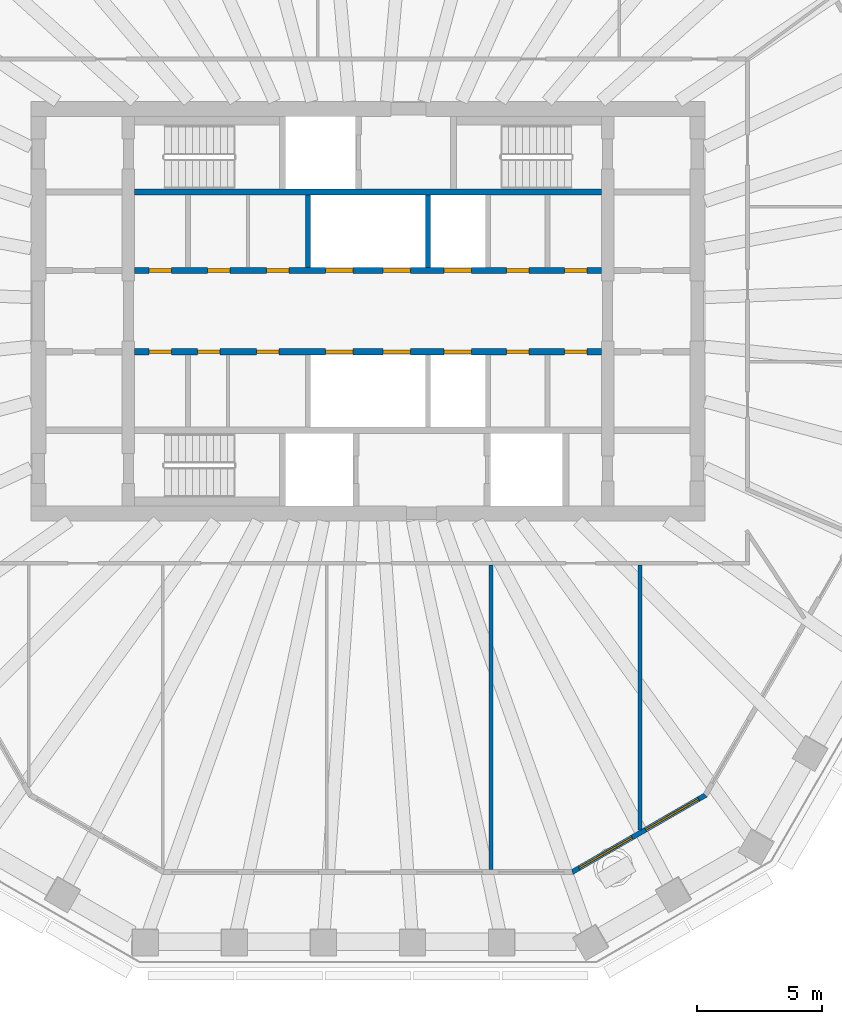
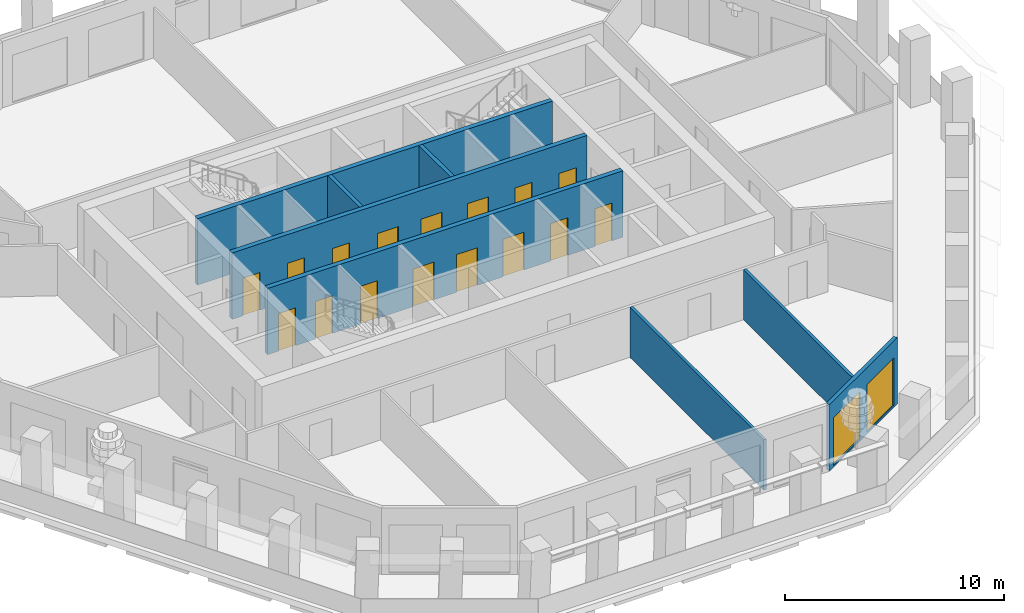
# One storey, part 5 of 12: 16 doors, 8 walls, 2 windows, 18 openings.
"""IFC4 building model written with IfcOpenShell, lengths in metres."""

import ifcopenshell
import ifcopenshell.guid

model = None  # the IFC model being written
_history = None  # IfcOwnerHistory: only IFC2X3 demands one
_inside = {}  # id of a spatial element -> (the spatial element, [elements in it])
_under = {}  # id of a project, library or spatial element -> (it, [spatial elements below it])
_declared = {}  # id of a project -> (the project, [libraries it declares])
_typed = {}  # id of a type object -> (the type object, [elements of that type])
_made_of = {}  # id of a material, layer set ... -> (it, [elements and type objects made of it])


def new_model(schema):
    """Start an empty IFC model of exactly this schema.

    Asked for "IFC4X3", IfcOpenShell would pick the latest addendum, in which some entities
    have other attributes; the version numbers below select the first issue.
    IFC2X3 requires an IfcOwnerHistory on every rooted entity: one is made here for all.
    """
    global model, _history
    if schema == "IFC4X3":
        model = ifcopenshell.file(schema_version=(4, 3, 0, 0))
    else:
        model = ifcopenshell.file(schema=schema)
    _inside.clear()
    _under.clear()
    _declared.clear()
    _typed.clear()
    _made_of.clear()
    _history = None
    if model.schema == "IFC2X3":
        org = make("IfcOrganization", Name="unknown")
        user = make(
            "IfcPersonAndOrganization",
            ThePerson=make("IfcPerson", FamilyName="unknown"),
            TheOrganization=org,
        )
        app = make(
            "IfcApplication",
            ApplicationDeveloper=org,
            Version="unknown",
            ApplicationFullName="unknown",
            ApplicationIdentifier="unknown",
        )
        _history = make(
            "IfcOwnerHistory",
            OwningUser=user,
            OwningApplication=app,
            ChangeAction="ADDED",
            CreationDate=0,
        )
    return model


def make(cls, **values):
    """One entity of the class cls with the attributes given. An attribute that is None is left unset."""
    return model.create_entity(
        cls, **{name: value for name, value in values.items() if value is not None}
    )


def rooted(cls, **values):
    """An entity with a GlobalId (a new one), such as an element, a storey or a relation."""
    return make(cls, GlobalId=ifcopenshell.guid.new(), OwnerHistory=_history, **values)


def si_unit(unit_type, name, prefix=None):
    """IfcSIUnit, for example si_unit("LENGTHUNIT", "METRE", prefix="MILLI")."""
    return make("IfcSIUnit", UnitType=unit_type, Prefix=prefix, Name=name)


def assignment(units):
    """IfcUnitAssignment: the units of a project."""
    return None if units is None else make("IfcUnitAssignment", Units=units)


def point(xyz):
    """IfcCartesianPoint."""
    return None if xyz is None else make("IfcCartesianPoint", Coordinates=xyz)


def direction(xyz):
    """IfcDirection."""
    return None if xyz is None else make("IfcDirection", DirectionRatios=xyz)


def frame(location, z_axis=None, x_axis=None):
    """IfcAxis2Placement3D, a coordinate frame: its origin and axes. An axis left out is left unset."""
    return make(
        "IfcAxis2Placement3D",
        Location=point(location),
        Axis=direction(z_axis),
        RefDirection=direction(x_axis),
    )


def frame_2d(location, x_axis=None):
    """IfcAxis2Placement2D, a coordinate frame in the plane: its origin and x axis."""
    return make(
        "IfcAxis2Placement2D", Location=point(location), RefDirection=direction(x_axis)
    )


def origin():
    """The frame at (0, 0, 0) with its axes left unset."""
    return frame((0.0, 0.0, 0.0))


def place(relative_to, where):
    """IfcLocalPlacement: puts the frame where relative to a parent placement (None: the world)."""
    return make(
        "IfcLocalPlacement", PlacementRelTo=relative_to, RelativePlacement=where
    )


def context(
    kind, dimensions, precision=None, world=None, true_north=None, identifier=None
):
    """IfcGeometricRepresentationContext, for example the 3D "Model" context."""
    return make(
        "IfcGeometricRepresentationContext",
        ContextIdentifier=identifier,
        ContextType=kind,
        CoordinateSpaceDimension=dimensions,
        Precision=precision,
        WorldCoordinateSystem=world,
        TrueNorth=true_north,
    )


def subcontext(parent, identifier, kind, view, scale=None):
    """IfcGeometricRepresentationSubContext, for example "Body" below "Model"."""
    return make(
        "IfcGeometricRepresentationSubContext",
        ContextIdentifier=identifier,
        ContextType=kind,
        ParentContext=parent,
        TargetScale=scale,
        TargetView=view,
    )


def project(units=None, contexts=None):
    """IfcProject with its units and contexts."""
    return rooted(
        "IfcProject",
        Name="project",
        RepresentationContexts=contexts,
        UnitsInContext=assignment(units),
    )


def spatial(cls, under=None, at=None, **own):
    """A site, building, storey or space (cls), placed at a placement, below another one or the project."""
    s = rooted(cls, ObjectPlacement=at, **own)
    if under is not None:
        _under.setdefault(under.id(), (under, []))[1].append(s)
    return s


def polyline(points):
    """IfcPolyline through the points."""
    return make("IfcPolyline", Points=[point(p) for p in points])


def profile(cls, at=None, kind="AREA", **sizes):
    """A parametric profile (cls). Its sizes go by their IFC names, for example OverallWidth=200.0."""
    return make(cls, ProfileType=kind, Position=at, **sizes)


def rectangle(**sizes):
    """IfcRectangleProfileDef."""
    return profile("IfcRectangleProfileDef", **sizes)


def outline(outer, holes=None, kind="AREA"):
    """IfcArbitraryClosedProfileDef: a profile drawn as a closed curve; with holes, ...WithVoids."""
    if holes is None:
        return make("IfcArbitraryClosedProfileDef", ProfileType=kind, OuterCurve=outer)
    return make(
        "IfcArbitraryProfileDefWithVoids",
        ProfileType=kind,
        OuterCurve=outer,
        InnerCurves=holes,
    )


def extrude(swept, where, along, depth):
    """IfcExtrudedAreaSolid: the profile swept, set in the frame where, extruded along a direction by depth."""
    return make(
        "IfcExtrudedAreaSolid",
        SweptArea=swept,
        Position=where,
        ExtrudedDirection=direction(along),
        Depth=depth,
    )


def shape(context_of_items, identifier, shape_type, items):
    """IfcShapeRepresentation: the items that make up one representation, for example the "Body"."""
    return make(
        "IfcShapeRepresentation",
        ContextOfItems=context_of_items,
        RepresentationIdentifier=identifier,
        RepresentationType=shape_type,
        Items=items,
    )


def material(Name=None, Category=None):
    """IfcMaterial."""
    return make("IfcMaterial", Name=Name, Category=Category)


def layer(
    of_material, thickness, ventilated=None, Name=None, Category=None, Priority=None
):
    """IfcMaterialLayer: one layer of a wall or slab, of a material (None: an air gap)."""
    return make(
        "IfcMaterialLayer",
        Material=of_material,
        LayerThickness=thickness,
        IsVentilated=ventilated,
        Name=Name,
        Category=Category,
        Priority=Priority,
    )


def layer_set(layers, Name=None):
    """IfcMaterialLayerSet."""
    return make("IfcMaterialLayerSet", MaterialLayers=layers, LayerSetName=Name)


def made_of(thing, what):
    """Note that an element or type object is made of a material, layer set ...; save() writes the relation."""
    if what is not None:
        _made_of.setdefault(what.id(), (what, []))[1].append(thing)
    return thing


def type_object(cls, material=None, **own):
    """A type object (cls), such as IfcWallType, which elements share."""
    return made_of(rooted(cls, **own), material)


def element(
    cls,
    number,
    at=None,
    inside=None,
    cuts=None,
    type_object=None,
    material=None,
    context=None,
    identifier="Body",
    shape_type=None,
    held_by="IfcProductDefinitionShape",
    body=None,
    shapes=None,
    **own,
):
    """One element of the class cls, such as IfcWall. Its Tag is "e" and its number.

    at: its placement. inside: the storey or other place that contains it. cuts: it is an
    opening in that element (IfcRelVoidsElement). A single representation is given by context,
    identifier, shape_type and body (its items); several are given by shapes. held_by: the class
    of the entity that holds the representations. save() writes the other relations.
    """
    e = rooted(cls, Tag="e%d" % number, ObjectPlacement=at, **own)
    if body is not None:
        shapes = [shape(context, identifier, shape_type, body)]
    if shapes is not None:
        e.Representation = make(held_by, Representations=shapes)
    if inside is not None:
        _inside.setdefault(inside.id(), (inside, []))[1].append(e)
    if cuts is not None:
        rooted(
            "IfcRelVoidsElement", RelatingBuildingElement=cuts, RelatedOpeningElement=e
        )
    if type_object is not None:
        _typed.setdefault(type_object.id(), (type_object, []))[1].append(e)
    return made_of(e, material)


def fill(opening, filler):
    """IfcRelFillsElement: the door or window that sits in an opening."""
    return rooted(
        "IfcRelFillsElement",
        RelatingOpeningElement=opening,
        RelatedBuildingElement=filler,
    )


def aggregate(whole, parts):
    """IfcRelAggregates: a whole, such as a stair, and the parts it consists of."""
    return rooted("IfcRelAggregates", RelatingObject=whole, RelatedObjects=parts)


def save(model, path):
    """Write the relations noted so far, then the file.

    IfcRelAggregates (storeys below a building ...), IfcRelContainedInSpatialStructure (elements
    in a storey), IfcRelDefinesByType, IfcRelAssociatesMaterial and IfcRelDeclares: one each for
    every whole, place, type object, material and project.
    """
    for whole, parts in _under.values():
        aggregate(whole, parts)
    for where, things in _inside.values():
        rooted(
            "IfcRelContainedInSpatialStructure",
            RelatedElements=things,
            RelatingStructure=where,
        )
    for kind, things in _typed.values():
        rooted("IfcRelDefinesByType", RelatedObjects=things, RelatingType=kind)
    for what, things in _made_of.values():
        rooted("IfcRelAssociatesMaterial", RelatedObjects=things, RelatingMaterial=what)
    for by, libraries in _declared.values():
        rooted("IfcRelDeclares", RelatingContext=by, RelatedDefinitions=libraries)
    model.write(path)


model = new_model("IFC4")

# Units and contexts
model_context = context("Model", 3, precision=1e-05, world=origin(), true_north=direction((0.0, 1.0)))
body_context = subcontext(model_context, "Body", "Model", "MODEL_VIEW")
ifc_project = project(units=[si_unit("LENGTHUNIT", "METRE"), si_unit("AREAUNIT", "SQUARE_METRE"), si_unit("VOLUMEUNIT", "CUBIC_METRE"), si_unit("PLANEANGLEUNIT", "RADIAN"), si_unit("MASSUNIT", "GRAM", prefix="KILO")], contexts=[model_context])

# Site, building, storey
site_placement = place(None, origin())
site = spatial("IfcSite", under=ifc_project, at=site_placement, CompositionType="ELEMENT")
building_placement = place(site_placement, origin())
building = spatial("IfcBuilding", under=site, at=building_placement, Name="Frailejon Research Tower", CompositionType="ELEMENT")
storey_placement = place(building_placement, frame((0.0, 0.0, 245.39990234375)))
storey = spatial("IfcBuildingStorey", under=building, at=storey_placement, Name="L53", CompositionType="ELEMENT", Elevation=245.39990234375)

# Walls
ifc_material_1 = material(Name="Gypsum board and masonry partition", Category="masonry")
ifc_layer_1 = layer(ifc_material_1, 0.14990234375)
ifc_layer_set_1 = layer_set([ifc_layer_1], Name="Laboratory partition, blockwork 150")
wall_type_1 = type_object("IfcWallType", Name="Laboratory partition, blockwork 150", PredefinedType="PARTITIONING", material=ifc_layer_set_1)
wall_1_placement = place(storey_placement, frame((4.927734375, -22.368408203125, 0.0), z_axis=(0.0, 0.0, 1.0), x_axis=(0.0, 1.0, 0.0)))
element("IfcWall", 1, at=wall_1_placement, inside=storey, type_object=wall_type_1, Name="T:IW:L53:012", PredefinedType="PARTITIONING", context=body_context, shape_type="SweptSolid", body=[
    extrude(rectangle(XDim=12.193359375, YDim=0.14990234375, at=frame_2d((6.0966796875, 0.0))), origin(), (0.0, 0.0, 1.0), 2.800048828125),
])
wall_2_placement = place(storey_placement, frame((10.900390625, -20.785888671875, 0.0), z_axis=(0.0, 0.0, 1.0), x_axis=(0.0, 1.0, 0.0)))
element("IfcWall", 2, at=wall_2_placement, inside=storey, type_object=wall_type_1, Name="T:IW:L53:013", PredefinedType="PARTITIONING", context=body_context, shape_type="SweptSolid", body=[
    extrude(rectangle(XDim=10.61083984375, YDim=0.14990234375, at=frame_2d((5.305419921875, 0.0))), origin(), (0.0, 0.0, 1.0), 2.800048828125),
])
ifc_material_2 = material(Name="Concrete C60/75", Category="concrete")
ifc_layer_2 = layer(ifc_material_2, 0.199951171875)
ifc_layer_set_2 = layer_set([ifc_layer_2], Name="Shaft wall 200 C60/75")
wall_type_2 = type_object("IfcWallType", Name="Shaft wall 200 C60/75", PredefinedType="SOLIDWALL", material=ifc_layer_set_2)
for number, where, z_axis, x_axis, name in (
    (3, (-2.39990234375, 1.75, 0.0), (0.0, 0.0, 1.0), (0.0, 1.0, 0.0), "Shaft wall"),
    (4, (2.39990234375, 1.75, 0.0), (0.0, 0.0, 1.0), (0.0, 1.0, 0.0), "Shaft wall"),
):
    element("IfcWall", number, at=place(storey_placement, frame(where, z_axis=z_axis, x_axis=x_axis)), inside=storey, type_object=wall_type_2, Name=name, PredefinedType="SOLIDWALL", context=body_context, shape_type="SweptSolid", body=[
        extrude(rectangle(XDim=2.89990234375, YDim=0.199951171875, at=frame_2d((1.449951171875, 0.0))), origin(), (0.0, 0.0, 1.0), 3.7001953125),
    ])

# Wall, openings, doors
ifc_material_3 = material(Name="Concrete C60/75", Category="concrete")
ifc_layer_3 = layer(ifc_material_3, 0.25)
ifc_layer_set_3 = layer_set([ifc_layer_3], Name="Shaft wall 250 C60/75")
wall_type_3 = type_object("IfcWallType", Name="Shaft wall 250 C60/75", PredefinedType="SOLIDWALL", material=ifc_layer_set_3)
wall_3_placement = place(storey_placement, frame((-9.35009765625, 1.625, 0.0), z_axis=(0.0, 0.0, 1.0), x_axis=(1.0, 0.0, 0.0)))
wall_3 = element("IfcWall", 5, at=wall_3_placement, inside=storey, type_object=wall_type_3, Name="Shaft wall", PredefinedType="SOLIDWALL", context=body_context, shape_type="SweptSolid", body=[
    extrude(rectangle(XDim=18.7001953125, YDim=0.25, at=frame_2d((9.35009765625, 0.0))), origin(), (0.0, 0.0, 1.0), 3.7001953125),
])
opening_1_placement = place(wall_3_placement, frame((7.64990234375, 0.0, 0.0)))
opening_1 = element("IfcOpeningElement", 6, at=opening_1_placement, cuts=wall_3, Name="Opening LD", PredefinedType="OPENING", context=body_context, shape_type="SweptSolid", body=[
    extrude(rectangle(XDim=1.10009765625, YDim=2.10009765625, at=frame_2d((0.550048828125, 1.050048828125))), frame((0.0, 0.135009765625, 0.0), z_axis=(0.0, -1.0, 0.0), x_axis=(1.0, 0.0, 0.0)), (0.0, 0.0, 1.0), 0.27001953125),
])
opening_2_placement = place(wall_3_placement, frame((9.949951171875, 0.0, 0.0)))
opening_2 = element("IfcOpeningElement", 7, at=opening_2_placement, cuts=wall_3, Name="Opening LD", PredefinedType="OPENING", context=body_context, shape_type="SweptSolid", body=[
    extrude(rectangle(XDim=1.10009765625, YDim=2.10009765625, at=frame_2d((0.550048828125, 1.050048828125))), frame((0.0, 0.135009765625, 0.0), z_axis=(0.0, -1.0, 0.0), x_axis=(1.0, 0.0, 0.0)), (0.0, 0.0, 1.0), 0.27001953125),
])
opening_3_placement = place(wall_3_placement, frame((12.39990234375, 0.0, 0.0)))
opening_3 = element("IfcOpeningElement", 8, at=opening_3_placement, cuts=wall_3, Name="Opening LD", PredefinedType="OPENING", context=body_context, shape_type="SweptSolid", body=[
    extrude(rectangle(XDim=1.10009765625, YDim=2.10009765625, at=frame_2d((0.550048828125, 1.050048828125))), frame((0.0, 0.135009765625, 0.0), z_axis=(0.0, -1.0, 0.0), x_axis=(1.0, 0.0, 0.0)), (0.0, 0.0, 1.0), 0.27001953125),
])
opening_4_placement = place(wall_3_placement, frame((0.574951171875, 0.0, 0.0)))
opening_4 = element("IfcOpeningElement", 9, at=opening_4_placement, cuts=wall_3, Name="Opening D8", PredefinedType="OPENING", context=body_context, shape_type="SweptSolid", body=[
    extrude(rectangle(XDim=0.89990234375, YDim=2.10009765625, at=frame_2d((0.449951171875, 1.050048828125))), frame((0.0, 0.135009765625, 0.0), z_axis=(0.0, -1.0, 0.0), x_axis=(1.0, 0.0, 0.0)), (0.0, 0.0, 1.0), 0.27001953125),
])
opening_5_placement = place(wall_3_placement, frame((2.918701171875, 0.0, 0.0)))
opening_5 = element("IfcOpeningElement", 10, at=opening_5_placement, cuts=wall_3, Name="Opening D8", PredefinedType="OPENING", context=body_context, shape_type="SweptSolid", body=[
    extrude(rectangle(XDim=0.89990234375, YDim=2.10009765625, at=frame_2d((0.449951171875, 1.050048828125))), frame((0.0, 0.135009765625, 0.0), z_axis=(0.0, -1.0, 0.0), x_axis=(1.0, 0.0, 0.0)), (0.0, 0.0, 1.0), 0.27001953125),
])
opening_6_placement = place(wall_3_placement, frame((5.28125, 0.0, 0.0)))
opening_6 = element("IfcOpeningElement", 11, at=opening_6_placement, cuts=wall_3, Name="Opening D8", PredefinedType="OPENING", context=body_context, shape_type="SweptSolid", body=[
    extrude(rectangle(XDim=0.89990234375, YDim=2.10009765625, at=frame_2d((0.449951171875, 1.050048828125))), frame((0.0, 0.135009765625, 0.0), z_axis=(0.0, -1.0, 0.0), x_axis=(1.0, 0.0, 0.0)), (0.0, 0.0, 1.0), 0.27001953125),
])
opening_7_placement = place(wall_3_placement, frame((14.89990234375, 0.0, 0.0)))
opening_7 = element("IfcOpeningElement", 12, at=opening_7_placement, cuts=wall_3, Name="Opening D8", PredefinedType="OPENING", context=body_context, shape_type="SweptSolid", body=[
    extrude(rectangle(XDim=0.89990234375, YDim=2.10009765625, at=frame_2d((0.449951171875, 1.050048828125))), frame((0.0, 0.135009765625, 0.0), z_axis=(0.0, -1.0, 0.0), x_axis=(1.0, 0.0, 0.0)), (0.0, 0.0, 1.0), 0.27001953125),
])
opening_8_placement = place(wall_3_placement, frame((17.22509765625, 0.0, 0.0)))
opening_8 = element("IfcOpeningElement", 13, at=opening_8_placement, cuts=wall_3, Name="Opening D8", PredefinedType="OPENING", context=body_context, shape_type="SweptSolid", body=[
    extrude(rectangle(XDim=0.89990234375, YDim=2.10009765625, at=frame_2d((0.449951171875, 1.050048828125))), frame((0.0, 0.135009765625, 0.0), z_axis=(0.0, -1.0, 0.0), x_axis=(1.0, 0.0, 0.0)), (0.0, 0.0, 1.0), 0.27001953125),
])
ifc_material_4 = material(Name="Steel", Category="steel")
door_type_1 = type_object("IfcDoorType", Name="Core room door", OperationType="SINGLE_SWING_LEFT", PredefinedType="DOOR", material=ifc_material_4)
door_1_placement = place(opening_4_placement, origin())
door_1 = element("IfcDoor", 14, at=door_1_placement, inside=storey, type_object=door_type_1, Name="Room door", OperationType="SINGLE_SWING_LEFT", OverallHeight=2.10009765625, OverallWidth=0.89990234375, PredefinedType="DOOR", context=body_context, shape_type="SweptSolid", body=[
    extrude(rectangle(XDim=0.89990234375, YDim=2.10009765625, at=frame_2d((0.449951171875, 1.050048828125))), frame((0.0, 0.074951171875, 0.0), z_axis=(0.0, -1.0, 0.0), x_axis=(1.0, 0.0, 0.0)), (0.0, 0.0, 1.0), 0.14990234375),
])
fill(opening_4, door_1)
door_2_placement = place(opening_5_placement, origin())
door_2 = element("IfcDoor", 15, at=door_2_placement, inside=storey, type_object=door_type_1, Name="Room door", OperationType="SINGLE_SWING_RIGHT", OverallHeight=2.10009765625, OverallWidth=0.89990234375, PredefinedType="DOOR", context=body_context, shape_type="SweptSolid", body=[
    extrude(rectangle(XDim=0.89990234375, YDim=2.10009765625, at=frame_2d((0.449951171875, 1.050048828125))), frame((0.0, 0.074951171875, 0.0), z_axis=(0.0, -1.0, 0.0), x_axis=(1.0, 0.0, 0.0)), (0.0, 0.0, 1.0), 0.14990234375),
])
fill(opening_5, door_2)
door_3_placement = place(opening_6_placement, origin())
door_3 = element("IfcDoor", 16, at=door_3_placement, inside=storey, type_object=door_type_1, Name="Room door", OperationType="SINGLE_SWING_LEFT", OverallHeight=2.10009765625, OverallWidth=0.89990234375, PredefinedType="DOOR", context=body_context, shape_type="SweptSolid", body=[
    extrude(rectangle(XDim=0.89990234375, YDim=2.10009765625, at=frame_2d((0.449951171875, 1.050048828125))), frame((0.0, 0.074951171875, 0.0), z_axis=(0.0, -1.0, 0.0), x_axis=(1.0, 0.0, 0.0)), (0.0, 0.0, 1.0), 0.14990234375),
])
fill(opening_6, door_3)
door_4_placement = place(opening_7_placement, origin())
door_4 = element("IfcDoor", 17, at=door_4_placement, inside=storey, type_object=door_type_1, Name="Room door", OperationType="SINGLE_SWING_RIGHT", OverallHeight=2.10009765625, OverallWidth=0.89990234375, PredefinedType="DOOR", context=body_context, shape_type="SweptSolid", body=[
    extrude(rectangle(XDim=0.89990234375, YDim=2.10009765625, at=frame_2d((0.449951171875, 1.050048828125))), frame((0.0, 0.074951171875, 0.0), z_axis=(0.0, -1.0, 0.0), x_axis=(1.0, 0.0, 0.0)), (0.0, 0.0, 1.0), 0.14990234375),
])
fill(opening_7, door_4)
door_5_placement = place(opening_8_placement, origin())
door_5 = element("IfcDoor", 18, at=door_5_placement, inside=storey, type_object=door_type_1, Name="Room door", OperationType="SINGLE_SWING_LEFT", OverallHeight=2.10009765625, OverallWidth=0.89990234375, PredefinedType="DOOR", context=body_context, shape_type="SweptSolid", body=[
    extrude(rectangle(XDim=0.89990234375, YDim=2.10009765625, at=frame_2d((0.449951171875, 1.050048828125))), frame((0.0, 0.074951171875, 0.0), z_axis=(0.0, -1.0, 0.0), x_axis=(1.0, 0.0, 0.0)), (0.0, 0.0, 1.0), 0.14990234375),
])
fill(opening_8, door_5)
ifc_material_5 = material(Name="Steel", Category="steel")
door_type_2 = type_object("IfcDoorType", Name="Lift landing door", OperationType="DOUBLE_DOOR_SLIDING", PredefinedType="DOOR", material=ifc_material_5)
door_6_placement = place(opening_1_placement, origin())
door_6 = element("IfcDoor", 19, at=door_6_placement, inside=storey, type_object=door_type_2, Name="Lift landing door", OperationType="DOUBLE_DOOR_SLIDING", OverallHeight=2.10009765625, OverallWidth=1.10009765625, PredefinedType="DOOR", context=body_context, shape_type="SweptSolid", body=[
    extrude(rectangle(XDim=1.10009765625, YDim=2.10009765625, at=frame_2d((0.550048828125, 1.050048828125))), frame((0.0, 0.074951171875, 0.0), z_axis=(0.0, -1.0, 0.0), x_axis=(1.0, 0.0, 0.0)), (0.0, 0.0, 1.0), 0.14990234375),
])
fill(opening_1, door_6)
door_7_placement = place(opening_2_placement, origin())
door_7 = element("IfcDoor", 20, at=door_7_placement, inside=storey, type_object=door_type_2, Name="Lift landing door", OperationType="DOUBLE_DOOR_SLIDING", OverallHeight=2.10009765625, OverallWidth=1.10009765625, PredefinedType="DOOR", context=body_context, shape_type="SweptSolid", body=[
    extrude(rectangle(XDim=1.10009765625, YDim=2.10009765625, at=frame_2d((0.550048828125, 1.050048828125))), frame((0.0, 0.074951171875, 0.0), z_axis=(0.0, -1.0, 0.0), x_axis=(1.0, 0.0, 0.0)), (0.0, 0.0, 1.0), 0.14990234375),
])
fill(opening_2, door_7)
door_8_placement = place(opening_3_placement, origin())
door_8 = element("IfcDoor", 21, at=door_8_placement, inside=storey, type_object=door_type_2, Name="Lift landing door", OperationType="DOUBLE_DOOR_SLIDING", OverallHeight=2.10009765625, OverallWidth=1.10009765625, PredefinedType="DOOR", context=body_context, shape_type="SweptSolid", body=[
    extrude(rectangle(XDim=1.10009765625, YDim=2.10009765625, at=frame_2d((0.550048828125, 1.050048828125))), frame((0.0, 0.074951171875, 0.0), z_axis=(0.0, -1.0, 0.0), x_axis=(1.0, 0.0, 0.0)), (0.0, 0.0, 1.0), 0.14990234375),
])
fill(opening_3, door_8)

# Wall
wall_4_placement = place(storey_placement, frame((-9.35009765625, 4.77490234375, 0.0), z_axis=(0.0, 0.0, 1.0), x_axis=(1.0, 0.0, 0.0)))
element("IfcWall", 22, at=wall_4_placement, inside=storey, type_object=wall_type_3, Name="Shaft wall", PredefinedType="SOLIDWALL", context=body_context, shape_type="SweptSolid", body=[
    extrude(rectangle(XDim=18.7001953125, YDim=0.25, at=frame_2d((9.35009765625, 0.0))), origin(), (0.0, 0.0, 1.0), 3.7001953125),
])

# Wall, openings, doors
wall_5_placement = place(storey_placement, frame((-9.35009765625, -1.625, 0.0), z_axis=(0.0, 0.0, 1.0), x_axis=(1.0, 0.0, 0.0)))
wall_5 = element("IfcWall", 23, at=wall_5_placement, inside=storey, type_object=wall_type_3, Name="Shaft wall", PredefinedType="SOLIDWALL", context=body_context, shape_type="SweptSolid", body=[
    extrude(rectangle(XDim=18.7001953125, YDim=0.25, at=frame_2d((9.35009765625, 0.0))), origin(), (0.0, 0.0, 1.0), 3.7001953125),
])
opening_9_placement = place(wall_5_placement, frame((7.64990234375, 0.0, 0.0)))
opening_9 = element("IfcOpeningElement", 24, at=opening_9_placement, cuts=wall_5, Name="Opening LD", PredefinedType="OPENING", context=body_context, shape_type="SweptSolid", body=[
    extrude(rectangle(XDim=1.10009765625, YDim=2.10009765625, at=frame_2d((0.550048828125, 1.050048828125))), frame((0.0, 0.135009765625, 0.0), z_axis=(0.0, -1.0, 0.0), x_axis=(1.0, 0.0, 0.0)), (0.0, 0.0, 1.0), 0.27001953125),
])
opening_10_placement = place(wall_5_placement, frame((9.949951171875, 0.0, 0.0)))
opening_10 = element("IfcOpeningElement", 25, at=opening_10_placement, cuts=wall_5, Name="Opening LD", PredefinedType="OPENING", context=body_context, shape_type="SweptSolid", body=[
    extrude(rectangle(XDim=1.10009765625, YDim=2.10009765625, at=frame_2d((0.550048828125, 1.050048828125))), frame((0.0, 0.135009765625, 0.0), z_axis=(0.0, -1.0, 0.0), x_axis=(1.0, 0.0, 0.0)), (0.0, 0.0, 1.0), 0.27001953125),
])
opening_11_placement = place(wall_5_placement, frame((12.39990234375, 0.0, 0.0)))
opening_11 = element("IfcOpeningElement", 26, at=opening_11_placement, cuts=wall_5, Name="Opening LD", PredefinedType="OPENING", context=body_context, shape_type="SweptSolid", body=[
    extrude(rectangle(XDim=1.10009765625, YDim=2.10009765625, at=frame_2d((0.550048828125, 1.050048828125))), frame((0.0, 0.135009765625, 0.0), z_axis=(0.0, -1.0, 0.0), x_axis=(1.0, 0.0, 0.0)), (0.0, 0.0, 1.0), 0.27001953125),
])
opening_12_placement = place(wall_5_placement, frame((0.574951171875, 0.0, 0.0)))
opening_12 = element("IfcOpeningElement", 27, at=opening_12_placement, cuts=wall_5, Name="Opening D8", PredefinedType="OPENING", context=body_context, shape_type="SweptSolid", body=[
    extrude(rectangle(XDim=0.89990234375, YDim=2.10009765625, at=frame_2d((0.449951171875, 1.050048828125))), frame((0.0, 0.135009765625, 0.0), z_axis=(0.0, -1.0, 0.0), x_axis=(1.0, 0.0, 0.0)), (0.0, 0.0, 1.0), 0.27001953125),
])
opening_13_placement = place(wall_5_placement, frame((2.518798828125, 0.0, 0.0)))
opening_13 = element("IfcOpeningElement", 28, at=opening_13_placement, cuts=wall_5, Name="Opening D8", PredefinedType="OPENING", context=body_context, shape_type="SweptSolid", body=[
    extrude(rectangle(XDim=0.89990234375, YDim=2.10009765625, at=frame_2d((0.449951171875, 1.050048828125))), frame((0.0, 0.135009765625, 0.0), z_axis=(0.0, -1.0, 0.0), x_axis=(1.0, 0.0, 0.0)), (0.0, 0.0, 1.0), 0.27001953125),
])
opening_14_placement = place(wall_5_placement, frame((4.881103515625, 0.0, 0.0)))
opening_14 = element("IfcOpeningElement", 29, at=opening_14_placement, cuts=wall_5, Name="Opening D8", PredefinedType="OPENING", context=body_context, shape_type="SweptSolid", body=[
    extrude(rectangle(XDim=0.89990234375, YDim=2.10009765625, at=frame_2d((0.449951171875, 1.050048828125))), frame((0.0, 0.135009765625, 0.0), z_axis=(0.0, -1.0, 0.0), x_axis=(1.0, 0.0, 0.0)), (0.0, 0.0, 1.0), 0.27001953125),
])
opening_15_placement = place(wall_5_placement, frame((14.89990234375, 0.0, 0.0)))
opening_15 = element("IfcOpeningElement", 30, at=opening_15_placement, cuts=wall_5, Name="Opening D8", PredefinedType="OPENING", context=body_context, shape_type="SweptSolid", body=[
    extrude(rectangle(XDim=0.89990234375, YDim=2.10009765625, at=frame_2d((0.449951171875, 1.050048828125))), frame((0.0, 0.135009765625, 0.0), z_axis=(0.0, -1.0, 0.0), x_axis=(1.0, 0.0, 0.0)), (0.0, 0.0, 1.0), 0.27001953125),
])
opening_16_placement = place(wall_5_placement, frame((17.22509765625, 0.0, 0.0)))
opening_16 = element("IfcOpeningElement", 31, at=opening_16_placement, cuts=wall_5, Name="Opening D8", PredefinedType="OPENING", context=body_context, shape_type="SweptSolid", body=[
    extrude(rectangle(XDim=0.89990234375, YDim=2.10009765625, at=frame_2d((0.449951171875, 1.050048828125))), frame((0.0, 0.135009765625, 0.0), z_axis=(0.0, -1.0, 0.0), x_axis=(1.0, 0.0, 0.0)), (0.0, 0.0, 1.0), 0.27001953125),
])
door_9_placement = place(opening_12_placement, origin())
door_9 = element("IfcDoor", 32, at=door_9_placement, inside=storey, type_object=door_type_1, Name="Room door", OperationType="SINGLE_SWING_RIGHT", OverallHeight=2.10009765625, OverallWidth=0.89990234375, PredefinedType="DOOR", context=body_context, shape_type="SweptSolid", body=[
    extrude(rectangle(XDim=0.89990234375, YDim=2.10009765625, at=frame_2d((0.449951171875, 1.050048828125))), frame((0.0, 0.074951171875, 0.0), z_axis=(0.0, -1.0, 0.0), x_axis=(1.0, 0.0, 0.0)), (0.0, 0.0, 1.0), 0.14990234375),
])
fill(opening_12, door_9)
door_10_placement = place(opening_13_placement, origin())
door_10 = element("IfcDoor", 33, at=door_10_placement, inside=storey, type_object=door_type_1, Name="Room door", OperationType="SINGLE_SWING_LEFT", OverallHeight=2.10009765625, OverallWidth=0.89990234375, PredefinedType="DOOR", context=body_context, shape_type="SweptSolid", body=[
    extrude(rectangle(XDim=0.89990234375, YDim=2.10009765625, at=frame_2d((0.449951171875, 1.050048828125))), frame((0.0, 0.074951171875, 0.0), z_axis=(0.0, -1.0, 0.0), x_axis=(1.0, 0.0, 0.0)), (0.0, 0.0, 1.0), 0.14990234375),
])
fill(opening_13, door_10)
door_11_placement = place(opening_14_placement, origin())
door_11 = element("IfcDoor", 34, at=door_11_placement, inside=storey, type_object=door_type_1, Name="Room door", OperationType="SINGLE_SWING_RIGHT", OverallHeight=2.10009765625, OverallWidth=0.89990234375, PredefinedType="DOOR", context=body_context, shape_type="SweptSolid", body=[
    extrude(rectangle(XDim=0.89990234375, YDim=2.10009765625, at=frame_2d((0.449951171875, 1.050048828125))), frame((0.0, 0.074951171875, 0.0), z_axis=(0.0, -1.0, 0.0), x_axis=(1.0, 0.0, 0.0)), (0.0, 0.0, 1.0), 0.14990234375),
])
fill(opening_14, door_11)
door_12_placement = place(opening_15_placement, origin())
door_12 = element("IfcDoor", 35, at=door_12_placement, inside=storey, type_object=door_type_1, Name="Room door", OperationType="SINGLE_SWING_LEFT", OverallHeight=2.10009765625, OverallWidth=0.89990234375, PredefinedType="DOOR", context=body_context, shape_type="SweptSolid", body=[
    extrude(rectangle(XDim=0.89990234375, YDim=2.10009765625, at=frame_2d((0.449951171875, 1.050048828125))), frame((0.0, 0.074951171875, 0.0), z_axis=(0.0, -1.0, 0.0), x_axis=(1.0, 0.0, 0.0)), (0.0, 0.0, 1.0), 0.14990234375),
])
fill(opening_15, door_12)
door_13_placement = place(opening_16_placement, origin())
door_13 = element("IfcDoor", 36, at=door_13_placement, inside=storey, type_object=door_type_1, Name="Room door", OperationType="SINGLE_SWING_RIGHT", OverallHeight=2.10009765625, OverallWidth=0.89990234375, PredefinedType="DOOR", context=body_context, shape_type="SweptSolid", body=[
    extrude(rectangle(XDim=0.89990234375, YDim=2.10009765625, at=frame_2d((0.449951171875, 1.050048828125))), frame((0.0, 0.074951171875, 0.0), z_axis=(0.0, -1.0, 0.0), x_axis=(1.0, 0.0, 0.0)), (0.0, 0.0, 1.0), 0.14990234375),
])
fill(opening_16, door_13)
door_14_placement = place(opening_9_placement, origin())
door_14 = element("IfcDoor", 37, at=door_14_placement, inside=storey, type_object=door_type_2, Name="Lift landing door", OperationType="DOUBLE_DOOR_SLIDING", OverallHeight=2.10009765625, OverallWidth=1.10009765625, PredefinedType="DOOR", context=body_context, shape_type="SweptSolid", body=[
    extrude(rectangle(XDim=1.10009765625, YDim=2.10009765625, at=frame_2d((0.550048828125, 1.050048828125))), frame((0.0, 0.074951171875, 0.0), z_axis=(0.0, -1.0, 0.0), x_axis=(1.0, 0.0, 0.0)), (0.0, 0.0, 1.0), 0.14990234375),
])
fill(opening_9, door_14)
door_15_placement = place(opening_10_placement, origin())
door_15 = element("IfcDoor", 38, at=door_15_placement, inside=storey, type_object=door_type_2, Name="Lift landing door", OperationType="DOUBLE_DOOR_SLIDING", OverallHeight=2.10009765625, OverallWidth=1.10009765625, PredefinedType="DOOR", context=body_context, shape_type="SweptSolid", body=[
    extrude(rectangle(XDim=1.10009765625, YDim=2.10009765625, at=frame_2d((0.550048828125, 1.050048828125))), frame((0.0, 0.074951171875, 0.0), z_axis=(0.0, -1.0, 0.0), x_axis=(1.0, 0.0, 0.0)), (0.0, 0.0, 1.0), 0.14990234375),
])
fill(opening_10, door_15)
door_16_placement = place(opening_11_placement, origin())
door_16 = element("IfcDoor", 39, at=door_16_placement, inside=storey, type_object=door_type_2, Name="Lift landing door", OperationType="DOUBLE_DOOR_SLIDING", OverallHeight=2.10009765625, OverallWidth=1.10009765625, PredefinedType="DOOR", context=body_context, shape_type="SweptSolid", body=[
    extrude(rectangle(XDim=1.10009765625, YDim=2.10009765625, at=frame_2d((0.550048828125, 1.050048828125))), frame((0.0, 0.074951171875, 0.0), z_axis=(0.0, -1.0, 0.0), x_axis=(1.0, 0.0, 0.0)), (0.0, 0.0, 1.0), 0.14990234375),
])
fill(opening_11, door_16)

# Wall, openings, windows
ifc_material_6 = material(Name="Concrete C40/50 precast window wall panel", Category="concrete")
ifc_layer_4 = layer(ifc_material_6, 0.199951171875)
ifc_layer_set_4 = layer_set([ifc_layer_4], Name="Window wall 200")
wall_type_4 = type_object("IfcWallType", Name="Window wall 200", PredefinedType="SOLIDWALL", material=ifc_layer_set_4)
wall_6_placement = place(storey_placement, frame((8.18603515625, -22.468505859375, 0.0), z_axis=(0.0, 0.0, 1.0), x_axis=(0.866029647142, 0.499992650217, 0.0)))
wall_6 = element("IfcWall", 40, at=wall_6_placement, inside=storey, type_object=wall_type_4, Name="Exterior wall L53", PredefinedType="SOLIDWALL", context=body_context, shape_type="SweptSolid", body=[
    extrude(outline(polyline([(-0.02685546875, -0.10009765625), (1.007568359375, -0.10009765625), (2.0419921875, -0.10009765625), (3.076416015625, -0.10009765625), (4.11083984375, -0.10009765625), (5.145263671875, -0.10009765625), (6.1796875, -0.10009765625), (6.1259765625, 0.10009765625), (5.109375, 0.10009765625), (4.093017578125, 0.10009765625), (3.076416015625, 0.10009765625), (2.059814453125, 0.10009765625), (1.04345703125, 0.10009765625), (0.02685546875, 0.10009765625), (-0.02685546875, -0.10009765625)])), origin(), (0.0, 0.0, 1.0), 3.7001953125),
])
opening_17_placement = place(wall_6_placement, frame((0.313232421875, 0.0, 0.10009765625)))
opening_17 = element("IfcOpeningElement", 41, at=opening_17_placement, cuts=wall_6, Name="Opening W17", PredefinedType="OPENING", context=body_context, shape_type="SweptSolid", body=[
    extrude(rectangle(XDim=2.449951171875, YDim=2.64990234375, at=frame_2d((1.22509765625, 1.324951171875))), frame((0.0, 0.10986328125, 0.0), z_axis=(0.0, -1.0, 0.0), x_axis=(1.0, 0.0, 0.0)), (0.0, 0.0, 1.0), 0.219970703125),
])
opening_18_placement = place(wall_6_placement, frame((3.3896484375, 0.0, 0.10009765625)))
opening_18 = element("IfcOpeningElement", 42, at=opening_18_placement, cuts=wall_6, Name="Opening W17", PredefinedType="OPENING", context=body_context, shape_type="SweptSolid", body=[
    extrude(rectangle(XDim=2.449951171875, YDim=2.64990234375, at=frame_2d((1.22509765625, 1.324951171875))), frame((0.0, 0.10986328125, 0.0), z_axis=(0.0, -1.0, 0.0), x_axis=(1.0, 0.0, 0.0)), (0.0, 0.0, 1.0), 0.219970703125),
])
ifc_material_7 = material(Name="Aluminium framed double glazing", Category="aluminium")
window_type = type_object("IfcWindowType", Name="Window 2450x2650", PartitioningType="SINGLE_PANEL", PredefinedType="WINDOW", material=ifc_material_7)
window_1_placement = place(opening_17_placement, origin())
window_1 = element("IfcWindow", 43, at=window_1_placement, inside=storey, type_object=window_type, Name="Window L53", OverallHeight=2.64990234375, OverallWidth=2.449951171875, PartitioningType="SINGLE_PANEL", PredefinedType="WINDOW", context=body_context, shape_type="SweptSolid", body=[
    extrude(rectangle(XDim=2.449951171875, YDim=2.64990234375, at=frame_2d((1.22509765625, 1.324951171875))), frame((0.0, 0.030029296875, 0.0), z_axis=(0.0, -1.0, 0.0), x_axis=(1.0, 0.0, 0.0)), (0.0, 0.0, 1.0), 0.06005859375),
])
fill(opening_17, window_1)
window_2_placement = place(opening_18_placement, origin())
window_2 = element("IfcWindow", 44, at=window_2_placement, inside=storey, type_object=window_type, Name="Window L53", OverallHeight=2.64990234375, OverallWidth=2.449951171875, PartitioningType="SINGLE_PANEL", PredefinedType="WINDOW", context=body_context, shape_type="SweptSolid", body=[
    extrude(rectangle(XDim=2.449951171875, YDim=2.64990234375, at=frame_2d((1.22509765625, 1.324951171875))), frame((0.0, 0.030029296875, 0.0), z_axis=(0.0, -1.0, 0.0), x_axis=(1.0, 0.0, 0.0)), (0.0, 0.0, 1.0), 0.06005859375),
])
fill(opening_18, window_2)

save(model, "model.ifc")
